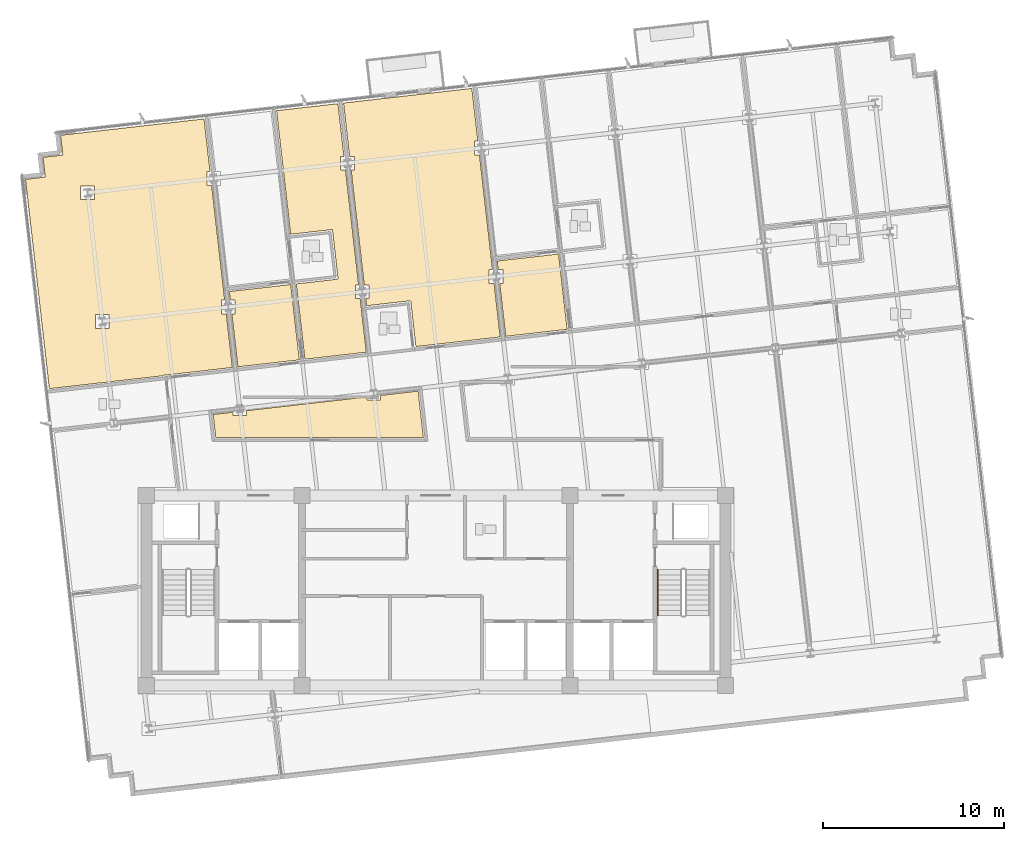
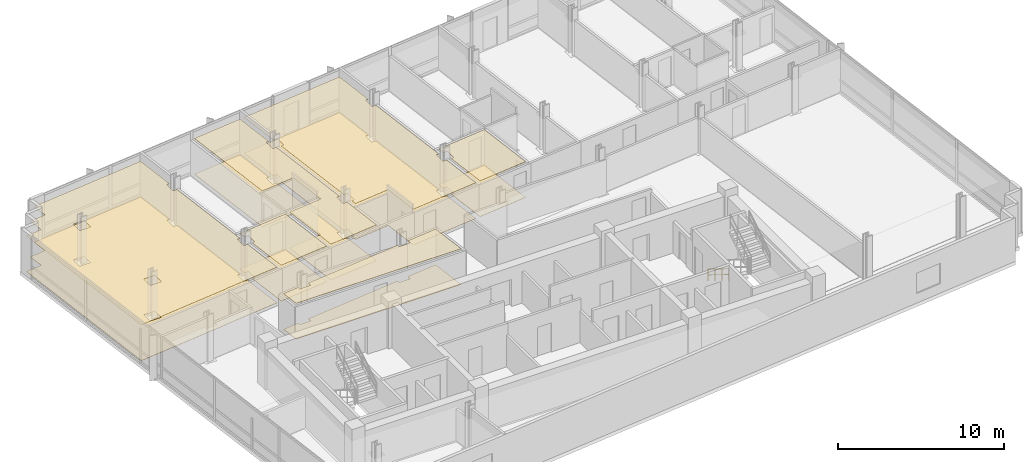
# One storey, part 13 of 16: 12 coverings, 1 railing.
"""IFC4 building model written with IfcOpenShell, lengths in metres."""

from ifc_helpers import new_model, si_unit, direction, frame, origin, origin_2d, place, context, subcontext, project, spatial, polyline, circle, outline, extrude, material, layer, layer_set, type_object, element, save


model = new_model("IFC4")

# Units and contexts
model_context = context("Model", 3, precision=1e-05, world=origin(), true_north=direction((0.0, 1.0)))
body_context = subcontext(model_context, "Body", "Model", "MODEL_VIEW")
ifc_project = project(units=[si_unit("LENGTHUNIT", "METRE"), si_unit("AREAUNIT", "SQUARE_METRE"), si_unit("VOLUMEUNIT", "CUBIC_METRE"), si_unit("PLANEANGLEUNIT", "RADIAN"), si_unit("MASSUNIT", "GRAM", prefix="KILO")], contexts=[model_context])

# Site, building, storey
site_placement = place(None, origin())
site = spatial("IfcSite", under=ifc_project, at=site_placement, CompositionType="ELEMENT")
building_placement = place(site_placement, origin())
building = spatial("IfcBuilding", under=site, at=building_placement, Name="Solmavex Isthmus Hotel", CompositionType="ELEMENT")
storey_placement = place(building_placement, frame((0.0, 0.0, 212.39990234375)))
storey = spatial("IfcBuildingStorey", under=building, at=storey_placement, Name="L57", CompositionType="ELEMENT", Elevation=212.39990234375)

# Coverings
ifc_material_1 = material(Name="Gypsum plasterboard lining", Category="gypsum")
ifc_layer_1 = layer(ifc_material_1, 0.030029296875)
ifc_layer_set_1 = layer_set([ifc_layer_1], Name="Gypsum plasterboard lining")
covering_type_1 = type_object("IfcCoveringType", Name="COV-CEIL-GYP", PredefinedType="CEILING", material=ifc_layer_set_1)
covering_1_placement = place(storey_placement, frame((0.0, 0.0, 2.6201171875)))
element("IfcCovering", 1, at=covering_1_placement, inside=storey, type_object=covering_type_1, Name="Suspended Acoustic Ceiling L57-RM01", PredefinedType="CEILING", context=body_context, shape_type="SweptSolid", body=[
    extrude(outline(polyline([(-15.079833984375, 4.11669921875), (-15.08203125, 4.136474609375), (-11.2490234375, 4.5732421875), (-11.586181640625, 7.532470703125), (-11.853271484375, 7.532470703125), (-11.853271484375, 8.29248046875), (-11.672607421875, 8.29248046875), (-12.395751953125, 14.638427734375), (-12.6630859375, 14.638427734375), (-12.6630859375, 15.3984375), (-12.482421875, 15.3984375), (-12.8134765625, 18.304443359375), (-19.92041015625, 17.49462890625), (-20.740234375, 17.4013671875), (-20.615478515625, 16.308349609375), (-21.70849609375, 16.183837890625), (-21.583984375, 15.091064453125), (-22.677001953125, 14.966552734375), (-22.58349609375, 14.146728515625), (-21.359130859375, 3.4013671875), (-15.079833984375, 4.11669921875)]), holes=[polyline([(-18.81640625, 6.739013671875), (-18.81640625, 7.4990234375), (-18.056396484375, 7.4990234375), (-18.056396484375, 6.739013671875), (-18.81640625, 6.739013671875)]), polyline([(-19.6259765625, 13.844970703125), (-19.6259765625, 14.60498046875), (-18.865966796875, 14.60498046875), (-18.865966796875, 13.844970703125), (-19.6259765625, 13.844970703125)])]), origin(), (0.0, 0.0, 1.0), 0.030029296875),
])
covering_2_placement = place(storey_placement, frame((0.0, 0.0, 2.6201171875)))
element("IfcCovering", 2, at=covering_2_placement, inside=storey, type_object=covering_type_1, Name="Suspended Acoustic Ceiling L57-SL02-FY", PredefinedType="CEILING", context=body_context, shape_type="SweptSolid", body=[
    extrude(outline(polyline([(-11.360595703125, 8.29248046875), (-11.09326171875, 8.29248046875), (-11.09326171875, 7.532470703125), (-11.274169921875, 7.532470703125), (-10.94091796875, 4.6083984375), (-7.5498046875, 4.994873046875), (-8.02392578125, 9.15576171875), (-11.4150390625, 8.76953125), (-11.360595703125, 8.29248046875)])), origin(), (0.0, 0.0, 1.0), 0.030029296875),
])
covering_3_placement = place(storey_placement, frame((0.0, 0.0, 2.6201171875)))
element("IfcCovering", 3, at=covering_3_placement, inside=storey, type_object=covering_type_1, Name="Suspended Acoustic Ceiling L57-SV02", PredefinedType="CEILING", context=body_context, shape_type="SweptSolid", body=[
    extrude(outline(polyline([(-4.99755859375, 15.481201171875), (-5.264892578125, 15.481201171875), (-5.264892578125, 16.2412109375), (-5.084228515625, 16.2412109375), (-5.415283203125, 19.1474609375), (-8.806396484375, 18.760986328125), (-8.0283203125, 11.93310546875), (-5.72021484375, 12.1962890625), (-5.407958984375, 9.453857421875), (-7.716064453125, 9.19091796875), (-7.241943359375, 5.02978515625), (-3.850830078125, 5.416259765625), (-4.18798828125, 8.375244140625), (-4.455322265625, 8.375244140625), (-4.455322265625, 9.13525390625), (-4.2744140625, 9.13525390625), (-4.99755859375, 15.481201171875)])), origin(), (0.0, 0.0, 1.0), 0.030029296875),
])
covering_4_placement = place(storey_placement, frame((0.0, 0.0, 2.6201171875)))
element("IfcCovering", 4, at=covering_4_placement, inside=storey, type_object=covering_type_1, Name="Suspended Acoustic Ceiling L57-RM03", PredefinedType="CEILING", context=body_context, shape_type="SweptSolid", body=[
    extrude(outline(polyline([(-3.962646484375, 9.13525390625), (-3.6953125, 9.13525390625), (-3.6953125, 8.375244140625), (-3.8759765625, 8.375244140625), (-3.83154296875, 7.98486328125), (-1.397216796875, 8.26220703125), (-1.108642578125, 5.728759765625), (3.54736328125, 6.259033203125), (3.210205078125, 9.21826171875), (2.94287109375, 9.21826171875), (2.94287109375, 9.978271484375), (3.12353515625, 9.978271484375), (2.400634765625, 16.32421875), (2.13330078125, 16.32421875), (2.13330078125, 17.084228515625), (2.31396484375, 17.084228515625), (1.98291015625, 19.990234375), (-5.107177734375, 19.182373046875), (-4.772216796875, 16.2412109375), (-4.5048828125, 16.2412109375), (-4.5048828125, 15.481201171875), (-4.685546875, 15.481201171875), (-3.962646484375, 9.13525390625)])), origin(), (0.0, 0.0, 1.0), 0.030029296875),
])
covering_5_placement = place(storey_placement, frame((0.0, 0.0, 2.6201171875)))
element("IfcCovering", 5, at=covering_5_placement, inside=storey, type_object=covering_type_1, Name="Suspended Acoustic Ceiling L57-SL04-FY", PredefinedType="CEILING", context=body_context, shape_type="SweptSolid", body=[
    extrude(outline(polyline([(3.435546875, 9.978271484375), (3.702880859375, 9.978271484375), (3.702880859375, 9.21826171875), (3.522216796875, 9.21826171875), (3.855224609375, 6.294189453125), (7.246337890625, 6.6806640625), (6.772216796875, 10.841552734375), (3.38134765625, 10.455322265625), (3.435546875, 9.978271484375)])), origin(), (0.0, 0.0, 1.0), 0.030029296875),
])
covering_6_placement = place(storey_placement, frame((0.0, 0.0, 2.6201171875)))
element("IfcCovering", 6, at=covering_6_placement, inside=storey, type_object=covering_type_1, Name="Suspended Acoustic Ceiling L57-FL09", PredefinedType="CEILING", context=body_context, shape_type="SweptSolid", body=[
    extrude(outline(polyline([(-10.4541015625, 2.18798828125), (-10.4541015625, 1.920654296875), (-11.214111328125, 1.920654296875), (-11.214111328125, 2.101318359375), (-12.309814453125, 1.9765625), (-12.1650390625, 0.705078125), (-0.694091796875, 0.705078125), (-0.986083984375, 3.2666015625), (-3.055908203125, 3.03076171875), (-3.055908203125, 2.763671875), (-3.81591796875, 2.763671875), (-3.81591796875, 2.9443359375), (-10.4541015625, 2.18798828125)])), origin(), (0.0, 0.0, 1.0), 0.030029296875),
])
ifc_material_2 = material(Name="Travertine natural stone", Category="masonry")
ifc_layer_2 = layer(ifc_material_2, 0.02490234375)
ifc_layer_set_2 = layer_set([ifc_layer_2], Name="Travertine natural stone")
covering_type_2 = type_object("IfcCoveringType", Name="COV-FLOR-STN", PredefinedType="FLOORING", material=ifc_layer_set_2)
covering_7_placement = place(storey_placement, origin())
element("IfcCovering", 7, at=covering_7_placement, inside=storey, type_object=covering_type_2, Name="Stone and Timber Floor Finish L57-RM01", PredefinedType="FLOORING", context=body_context, shape_type="SweptSolid", body=[
    extrude(outline(polyline([(-15.079833984375, 4.11669921875), (-15.08203125, 4.136474609375), (-11.2490234375, 4.5732421875), (-11.586181640625, 7.532470703125), (-11.853271484375, 7.532470703125), (-11.853271484375, 8.29248046875), (-11.672607421875, 8.29248046875), (-12.395751953125, 14.638427734375), (-12.6630859375, 14.638427734375), (-12.6630859375, 15.3984375), (-12.482421875, 15.3984375), (-12.8134765625, 18.304443359375), (-19.92041015625, 17.49462890625), (-20.740234375, 17.4013671875), (-20.615478515625, 16.308349609375), (-21.70849609375, 16.183837890625), (-21.583984375, 15.091064453125), (-22.677001953125, 14.966552734375), (-22.58349609375, 14.146728515625), (-21.359130859375, 3.4013671875), (-15.079833984375, 4.11669921875)]), holes=[polyline([(-18.81640625, 6.739013671875), (-18.81640625, 7.4990234375), (-18.056396484375, 7.4990234375), (-18.056396484375, 6.739013671875), (-18.81640625, 6.739013671875)]), polyline([(-19.6259765625, 13.844970703125), (-19.6259765625, 14.60498046875), (-18.865966796875, 14.60498046875), (-18.865966796875, 13.844970703125), (-19.6259765625, 13.844970703125)])]), origin(), (0.0, 0.0, 1.0), 0.025146484375),
])
covering_8_placement = place(storey_placement, origin())
element("IfcCovering", 8, at=covering_8_placement, inside=storey, type_object=covering_type_2, Name="Stone and Timber Floor Finish L57-SL02-FY", PredefinedType="FLOORING", context=body_context, shape_type="SweptSolid", body=[
    extrude(outline(polyline([(-11.360595703125, 8.29248046875), (-11.09326171875, 8.29248046875), (-11.09326171875, 7.532470703125), (-11.274169921875, 7.532470703125), (-10.94091796875, 4.6083984375), (-7.5498046875, 4.994873046875), (-8.02392578125, 9.15576171875), (-11.4150390625, 8.76953125), (-11.360595703125, 8.29248046875)])), origin(), (0.0, 0.0, 1.0), 0.025146484375),
])
covering_9_placement = place(storey_placement, origin())
element("IfcCovering", 9, at=covering_9_placement, inside=storey, type_object=covering_type_2, Name="Stone and Timber Floor Finish L57-SV02", PredefinedType="FLOORING", context=body_context, shape_type="SweptSolid", body=[
    extrude(outline(polyline([(-4.99755859375, 15.481201171875), (-5.264892578125, 15.481201171875), (-5.264892578125, 16.2412109375), (-5.084228515625, 16.2412109375), (-5.415283203125, 19.1474609375), (-8.806396484375, 18.760986328125), (-8.0283203125, 11.93310546875), (-5.72021484375, 12.1962890625), (-5.407958984375, 9.453857421875), (-7.716064453125, 9.19091796875), (-7.241943359375, 5.02978515625), (-3.850830078125, 5.416259765625), (-4.18798828125, 8.375244140625), (-4.455322265625, 8.375244140625), (-4.455322265625, 9.13525390625), (-4.2744140625, 9.13525390625), (-4.99755859375, 15.481201171875)])), origin(), (0.0, 0.0, 1.0), 0.025146484375),
])
covering_10_placement = place(storey_placement, origin())
element("IfcCovering", 10, at=covering_10_placement, inside=storey, type_object=covering_type_2, Name="Stone and Timber Floor Finish L57-RM03", PredefinedType="FLOORING", context=body_context, shape_type="SweptSolid", body=[
    extrude(outline(polyline([(-3.962646484375, 9.13525390625), (-3.6953125, 9.13525390625), (-3.6953125, 8.375244140625), (-3.8759765625, 8.375244140625), (-3.83154296875, 7.98486328125), (-1.397216796875, 8.26220703125), (-1.108642578125, 5.728759765625), (3.54736328125, 6.259033203125), (3.210205078125, 9.21826171875), (2.94287109375, 9.21826171875), (2.94287109375, 9.978271484375), (3.12353515625, 9.978271484375), (2.400634765625, 16.32421875), (2.13330078125, 16.32421875), (2.13330078125, 17.084228515625), (2.31396484375, 17.084228515625), (1.98291015625, 19.990234375), (-5.107177734375, 19.182373046875), (-4.772216796875, 16.2412109375), (-4.5048828125, 16.2412109375), (-4.5048828125, 15.481201171875), (-4.685546875, 15.481201171875), (-3.962646484375, 9.13525390625)])), origin(), (0.0, 0.0, 1.0), 0.025146484375),
])
covering_11_placement = place(storey_placement, origin())
element("IfcCovering", 11, at=covering_11_placement, inside=storey, type_object=covering_type_2, Name="Stone and Timber Floor Finish L57-SL04-FY", PredefinedType="FLOORING", context=body_context, shape_type="SweptSolid", body=[
    extrude(outline(polyline([(3.435546875, 9.978271484375), (3.702880859375, 9.978271484375), (3.702880859375, 9.21826171875), (3.522216796875, 9.21826171875), (3.855224609375, 6.294189453125), (7.246337890625, 6.6806640625), (6.772216796875, 10.841552734375), (3.38134765625, 10.455322265625), (3.435546875, 9.978271484375)])), origin(), (0.0, 0.0, 1.0), 0.025146484375),
])
covering_12_placement = place(storey_placement, origin())
element("IfcCovering", 12, at=covering_12_placement, inside=storey, type_object=covering_type_2, Name="Stone and Timber Floor Finish L57-FL09", PredefinedType="FLOORING", context=body_context, shape_type="SweptSolid", body=[
    extrude(outline(polyline([(-10.4541015625, 2.18798828125), (-10.4541015625, 1.920654296875), (-11.214111328125, 1.920654296875), (-11.214111328125, 2.101318359375), (-12.309814453125, 1.9765625), (-12.1650390625, 0.705078125), (-0.694091796875, 0.705078125), (-0.986083984375, 3.2666015625), (-3.055908203125, 3.03076171875), (-3.055908203125, 2.763671875), (-3.81591796875, 2.763671875), (-3.81591796875, 2.9443359375), (-10.4541015625, 2.18798828125)])), origin(), (0.0, 0.0, 1.0), 0.025146484375),
])

# Railing
ifc_material_3 = material(Name="Stainless steel 316", Category="steel")
ifc_layer_3 = layer(ifc_material_3, 0.050048828125)
ifc_layer_set_3 = layer_set([ifc_layer_3], Name="Stainless steel 316")
railing_type = type_object("IfcRailingType", Name="RAIL-STAIR-HR", PredefinedType="HANDRAIL", material=ifc_layer_set_3)
railing_placement = place(storey_placement, frame((12.25, -6.60009765625, 0.172607421875)))
element("IfcRailing", 13, at=railing_placement, inside=storey, type_object=railing_type, Name="L57 ST-2 stair handrail 1", PredefinedType="HANDRAIL", context=body_context, shape_type="SweptSolid", body=[
    extrude(circle(Radius=0.02392578125, at=origin_2d()), frame((0.0, 0.0, 0.8759765625), z_axis=(0.0, -0.851400495292, 0.524516154772), x_axis=(1.0, 0.0, 0.0)), (0.0, 0.0, 1.0), 2.9599609375),
    extrude(circle(Radius=0.02392578125, at=origin_2d()), frame((0.0, 0.0, 0.449951171875), z_axis=(0.0, -0.851400495292, 0.524516154772), x_axis=(1.0, 0.0, 0.0)), (0.0, 0.0, 1.0), 2.9599609375),
    extrude(circle(Radius=0.02099609375, at=origin_2d()), origin(), (0.0, 0.0, 1.0), 0.851806640625),
    extrude(circle(Radius=0.02099609375, at=origin_2d()), frame((0.0, -0.840087890625, 0.517578125)), (0.0, 0.0, 1.0), 0.851806640625),
    extrude(circle(Radius=0.02099609375, at=origin_2d()), frame((0.0, -1.679931640625, 1.034912109375)), (0.0, 0.0, 1.0), 0.851806640625),
    extrude(circle(Radius=0.02099609375, at=origin_2d()), frame((0.0, -2.52001953125, 1.552490234375)), (0.0, 0.0, 1.0), 0.851806640625),
])

save(model, "model.ifc")
